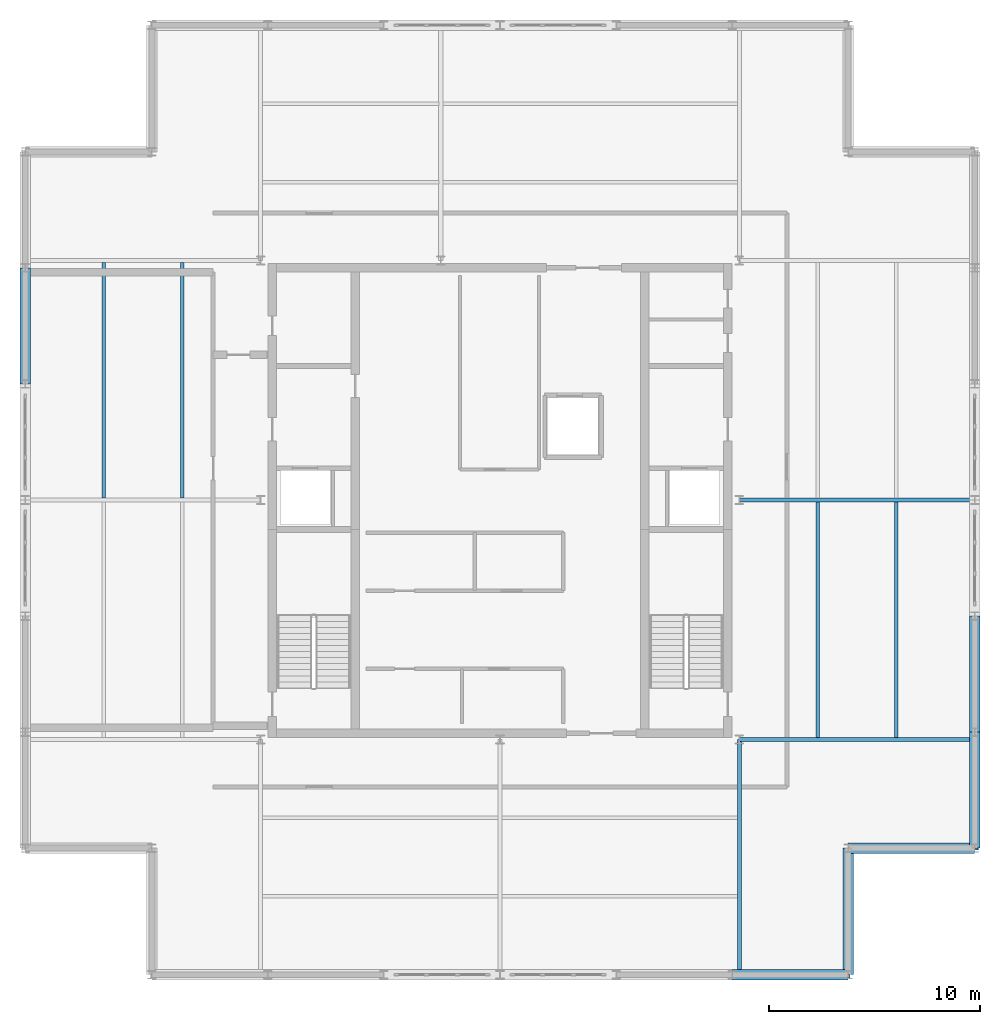
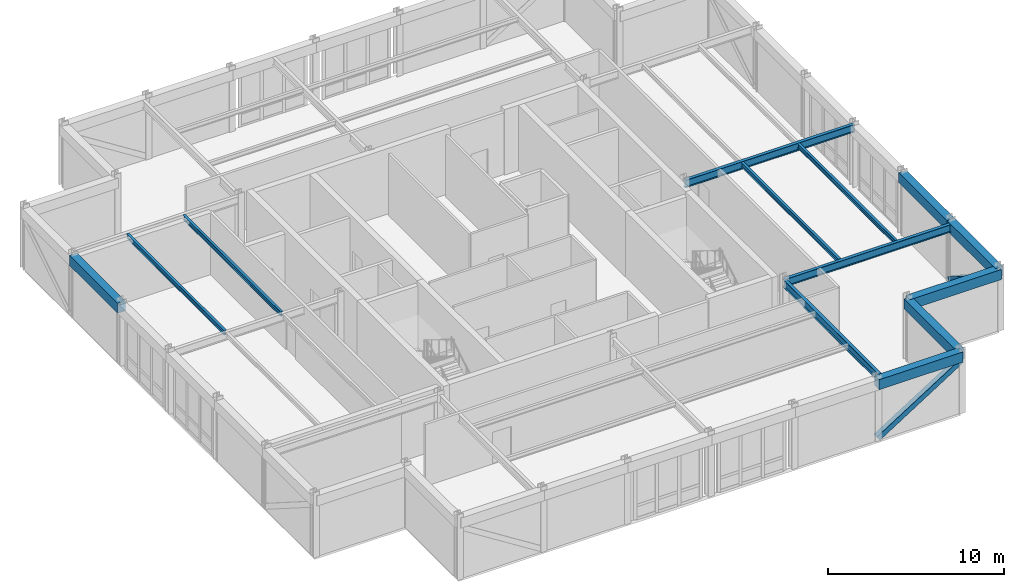
# One storey, part 3 of 9: 13 beams, 2 members.
"""IFC4 building model written with IfcOpenShell, lengths in metres."""

from ifc_helpers import new_model, si_unit, direction, frame, origin, origin_2d, place, context, subcontext, project, spatial, rectangle, hollow_rectangle, i_section, extrude, material, material_profile, profile_set, type_object, element, save


model = new_model("IFC4")

# Units and contexts
model_context = context("Model", 3, precision=1e-05, world=origin(), true_north=direction((0.0, 1.0)))
body_context = subcontext(model_context, "Body", "Model", "MODEL_VIEW")
ifc_project = project(units=[si_unit("LENGTHUNIT", "METRE"), si_unit("AREAUNIT", "SQUARE_METRE"), si_unit("VOLUMEUNIT", "CUBIC_METRE"), si_unit("PLANEANGLEUNIT", "RADIAN"), si_unit("MASSUNIT", "GRAM", prefix="KILO")], contexts=[model_context])

# Site, building, storey
site_placement = place(None, origin())
site = spatial("IfcSite", under=ifc_project, at=site_placement, CompositionType="ELEMENT")
building_placement = place(site_placement, origin())
building = spatial("IfcBuilding", under=site, at=building_placement, Name="Nhamokura Convention Tower", CompositionType="ELEMENT")
storey_placement = place(building_placement, frame((0.0, 0.0, 317.800048828125)))
storey = spatial("IfcBuildingStorey", under=building, at=storey_placement, Name="L78", CompositionType="ELEMENT", Elevation=317.800048828125)

# Beams
ifc_material_1 = material(Name="Steel ASTM A992 Gr 50", Category="steel")
ifc_material_profile_1 = material_profile(ifc_material_1, i_section(OverallWidth=0.166015625, OverallDepth=0.31298828125, WebThickness=0.006591796875, FlangeThickness=0.01123046875, at=origin_2d()))
ifc_profile_set_1 = profile_set([ifc_material_profile_1], Name="Steel ASTM A992 Gr 50")
beam_type_1 = type_object("IfcBeamType", Name="FloorJoist_W310X45", PredefinedType="JOIST", material=ifc_profile_set_1)
for number, where, z_axis, x_axis, name in (
    (1, (13.216796875, 32.1025390625, 4.133544921875), (0.0, 1.0, 0.0), (-1.0, 0.0, 0.0), "L78 Composite Floor Joist W1B"),
    (2, (16.933349609375, 32.1025390625, 4.133544921875), (0.0, 1.0, 0.0), (-1.0, 0.0, 0.0), "L78 Composite Floor Joist W2B"),
    (3, (47.066650390625, 20.75244140625, 4.133544921875), (0.0, 1.0, 0.0), (-1.0, 0.0, 0.0), "L78 Composite Floor Joist E1A"),
    (4, (50.783203125, 20.75244140625, 4.133544921875), (0.0, 1.0, 0.0), (-1.0, 0.0, 0.0), "L78 Composite Floor Joist E2A"),
):
    element("IfcBeam", number, at=place(storey_placement, frame(where, z_axis=z_axis, x_axis=x_axis)), inside=storey, type_object=beam_type_1, Name=name, PredefinedType="JOIST", context=body_context, shape_type="SweptSolid", body=[
        extrude(i_section(OverallWidth=0.166015625, OverallDepth=0.31298828125, WebThickness=0.006591796875, FlangeThickness=0.01123046875, at=origin_2d()), origin(), (0.0, 0.0, 1.0), 11.14501953125),
    ])
ifc_material_2 = material(Name="Steel ASTM A992 Gr 50", Category="steel")
ifc_material_profile_2 = material_profile(ifc_material_2, i_section(OverallWidth=0.208984375, OverallDepth=0.532958984375, WebThickness=0.01025390625, FlangeThickness=0.015625, at=origin_2d()))
ifc_profile_set_2 = profile_set([ifc_material_profile_2], Name="Steel ASTM A992 Gr 50")
beam_type_2 = type_object("IfcBeamType", Name="PrimaryGirder_W530X92", PredefinedType="BEAM", material=ifc_profile_set_2)
for number, where, z_axis, x_axis, name in (
    (5, (43.35009765625, 9.5, 4.0234375), (0.0, 1.0, 0.0), (-1.0, 0.0, 0.0), "L78 Primary Floor Girder PG-S3"),
    (6, (43.35009765625, 20.64990234375, 4.0234375), (1.0, 0.0, 0.0), (0.0, 1.0, 0.0), "L78 Primary Floor Girder PG-E1"),
    (7, (43.35009765625, 32.0, 4.0234375), (1.0, 0.0, 0.0), (0.0, 1.0, 0.0), "L78 Primary Floor Girder PG-E2"),
):
    element("IfcBeam", number, at=place(storey_placement, frame(where, z_axis=z_axis, x_axis=x_axis)), inside=storey, type_object=beam_type_2, Name=name, PredefinedType="BEAM", context=body_context, shape_type="SweptSolid", body=[
        extrude(i_section(OverallWidth=0.208984375, OverallDepth=0.532958984375, WebThickness=0.01025390625, FlangeThickness=0.015625, at=origin_2d()), origin(), (0.0, 0.0, 1.0), 11.14990234375),
    ])

# Members
ifc_material_3 = material(Name="Steel ASTM A572 Gr 50", Category="steel")
ifc_material_profile_3 = material_profile(ifc_material_3, hollow_rectangle(XDim=0.35009765625, YDim=0.35009765625, WallThickness=0.01611328125, at=origin_2d()))
ifc_profile_set_3 = profile_set([ifc_material_profile_3], Name="Steel ASTM A572 Gr 50")
member_type = type_object("IfcMemberType", Name="TubeBrace_HSS350", PredefinedType="BRACE", material=ifc_profile_set_3)
for number, where, z_axis, x_axis, name in (
    (8, (43.0, 9.5, 0.14990234375), (0.84435681045, 0.0, 0.535781276872), (0.0, 1.0, 0.0), "L78 Perimeter Tube Brace SOUTH Bay 5"),
    (9, (54.5, 21.0, 0.14990234375), (0.0, -0.84435681045, 0.535781276872), (1.0, 0.0, 0.0), "L78 Perimeter Tube Brace EAST Bay 0"),
):
    element("IfcMember", number, at=place(storey_placement, frame(where, z_axis=z_axis, x_axis=x_axis)), inside=storey, type_object=member_type, Name=name, PredefinedType="BRACE", context=body_context, shape_type="SweptSolid", body=[
        extrude(hollow_rectangle(XDim=0.35009765625, YDim=0.35009765625, WallThickness=0.01611328125, at=origin_2d()), origin(), (0.0, 0.0, 1.0), 6.513916015625),
    ])

# Beams
ifc_material_4 = material(Name="Concrete C50/60", Category="concrete")
ifc_material_profile_4 = material_profile(ifc_material_4, rectangle(XDim=0.5, YDim=0.699951171875, at=origin_2d()))
ifc_profile_set_4 = profile_set([ifc_material_profile_4], Name="Concrete C50/60")
beam_type_3 = type_object("IfcBeamType", Name="TubeSpandrel_700", PredefinedType="SPANDREL", material=ifc_profile_set_4)
for number, where, z_axis, x_axis, name in (
    (10, (43.0, 9.5, 3.93994140625), (1.0, 0.0, 0.0), (0.0, 1.0, 0.0), "L78 Perimeter Spandrel SOUTH 6"),
    (11, (9.5, 37.5, 3.93994140625), (0.0, 1.0, 0.0), (-1.0, 0.0, 0.0), "L78 Perimeter Spandrel WEST 5"),
    (12, (54.5, 15.5, 3.93994140625), (0.0, 1.0, 0.0), (-1.0, 0.0, 0.0), "L78 Perimeter Spandrel EAST 1"),
    (13, (54.5, 21.0, 3.93994140625), (0.0, 1.0, 0.0), (-1.0, 0.0, 0.0), "L78 Perimeter Spandrel EAST 2"),
):
    element("IfcBeam", number, at=place(storey_placement, frame(where, z_axis=z_axis, x_axis=x_axis)), inside=storey, type_object=beam_type_3, Name=name, PredefinedType="SPANDREL", context=body_context, shape_type="SweptSolid", body=[
        extrude(rectangle(XDim=0.5, YDim=0.699951171875, at=origin_2d()), origin(), (0.0, 0.0, 1.0), 5.5),
    ])
for number, where, z_axis, x_axis, name in (
    (14, (48.5, 9.5, 3.93994140625), (0.0, 1.0, 0.0), (-1.0, 0.0, 0.0), "L78 Notch Spandrel SE1"),
    (15, (48.5, 15.5, 3.93994140625), (1.0, 0.0, 0.0), (0.0, 1.0, 0.0), "L78 Notch Spandrel SE2"),
):
    element("IfcBeam", number, at=place(storey_placement, frame(where, z_axis=z_axis, x_axis=x_axis)), inside=storey, type_object=beam_type_3, Name=name, PredefinedType="SPANDREL", context=body_context, shape_type="SweptSolid", body=[
        extrude(rectangle(XDim=0.5, YDim=0.699951171875, at=origin_2d()), origin(), (0.0, 0.0, 1.0), 6.0),
    ])

save(model, "model.ifc")
